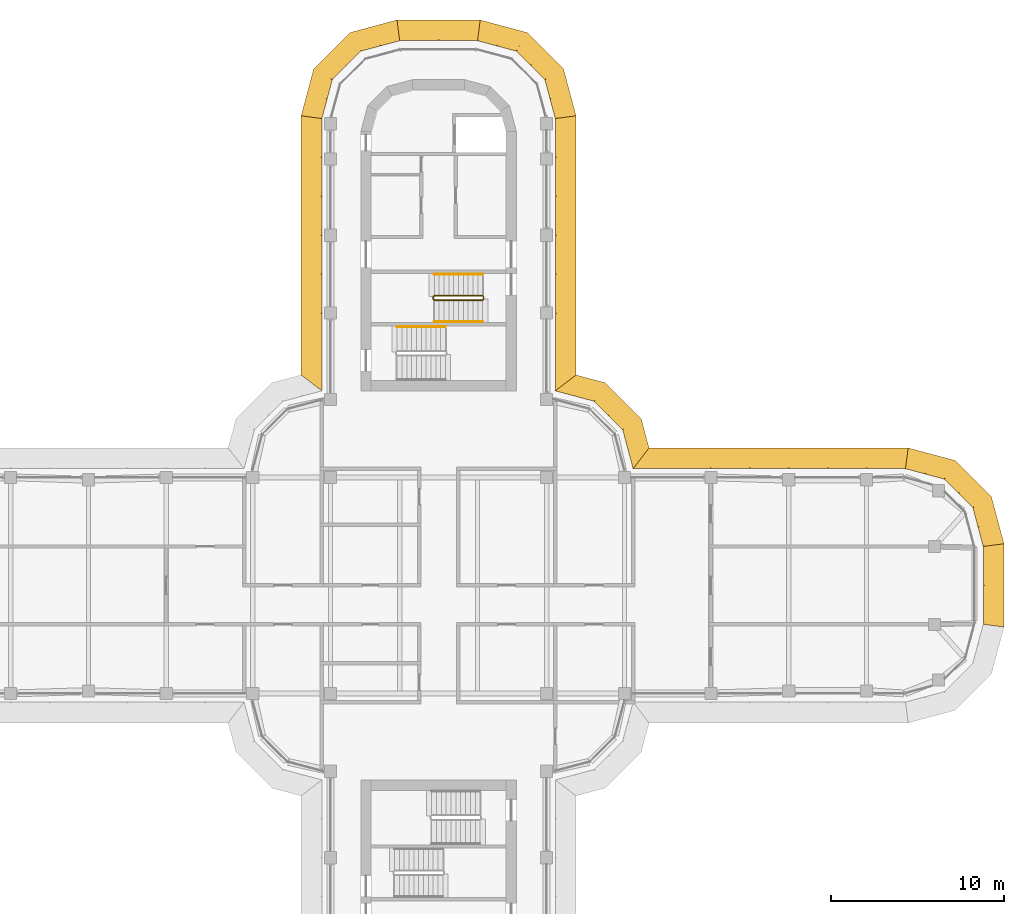
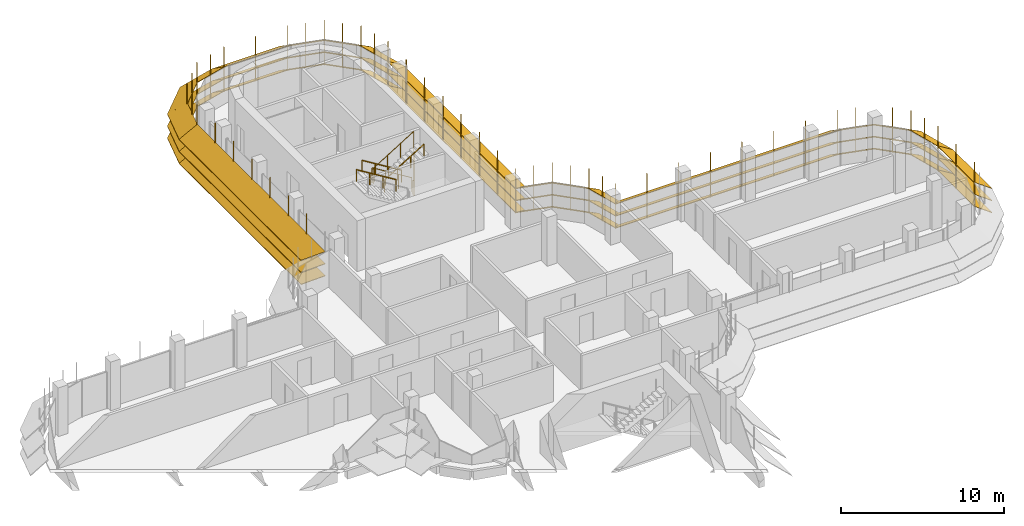
# One storey, part 19 of 19: 9 shading devices, 4 railings.
"""IFC4 building model written with IfcOpenShell, lengths in metres."""

from ifc_helpers import new_model, si_unit, direction, frame, origin, origin_2d, place, context, subcontext, project, spatial, polyline, circle, outline, extrude, faceted_brep, source, transform, mapped, material, type_object, element, save


model = new_model("IFC4")

# Units and contexts
model_context = context("Model", 3, precision=1e-05, world=origin(), true_north=direction((0.0, 1.0)))
body_context = subcontext(model_context, "Body", "Model", "MODEL_VIEW")
ifc_project = project(units=[si_unit("LENGTHUNIT", "METRE"), si_unit("AREAUNIT", "SQUARE_METRE"), si_unit("VOLUMEUNIT", "CUBIC_METRE"), si_unit("PLANEANGLEUNIT", "RADIAN"), si_unit("MASSUNIT", "GRAM", prefix="KILO")], contexts=[model_context])

# Site, building, storey
site_placement = place(None, origin())
site = spatial("IfcSite", under=ifc_project, at=site_placement, CompositionType="ELEMENT")
building_placement = place(site_placement, origin())
building = spatial("IfcBuilding", under=site, at=building_placement, Name="Zarbagh Exchange Tower", CompositionType="ELEMENT")
storey_placement = place(building_placement, frame((0.0, 0.0, 203.0)))
storey = spatial("IfcBuildingStorey", under=building, at=storey_placement, Name="L49", CompositionType="ELEMENT", Elevation=203.0)

# Railings
ifc_material_1 = material(Name="Stainless steel", Category="steel")
railing_type_1 = type_object("IfcRailingType", Name="Stair guard 1100 mm", PredefinedType="GUARDRAIL", material=ifc_material_1)
railing_1_placement = place(storey_placement, frame((2.550048828125, 16.75, 0.172607421875)))
element("IfcRailing", 1, at=railing_1_placement, inside=storey, type_object=railing_type_1, Name="ST1 stair guard 1", PredefinedType="GUARDRAIL", context=body_context, shape_type="SweptSolid", body=[
    extrude(circle(Radius=0.02392578125, at=origin_2d()), frame((0.0, 0.0, 1.076171875), z_axis=(-0.851089632645, 0.0, 0.525020415988), x_axis=(0.0, -1.0, 0.0)), (0.0, 0.0, 1.0), 3.2900390625),
    extrude(circle(Radius=0.02392578125, at=origin_2d()), frame((-2.800048828125, 0.0, 2.80322265625), z_axis=(-0.707106781187, -0.707106781187, 0.0), x_axis=(0.707106781187, -0.707106781187, 0.0)), (0.0, 0.0, 1.0), 0.07080078125),
    extrude(circle(Radius=0.02392578125, at=origin_2d()), frame((-2.85009765625, -0.050048828125, 2.80322265625), z_axis=(0.0, -1.0, 0.0), x_axis=(1.0, 0.0, 0.0)), (0.0, 0.0, 1.0), 0.14990234375),
    extrude(circle(Radius=0.02392578125, at=origin_2d()), frame((-2.85009765625, -0.199951171875, 2.80322265625), z_axis=(0.267953482034, -0.267953482034, 0.925419830635), x_axis=(0.707106781187, 0.707106781187, 0.0)), (0.0, 0.0, 1.0), 0.186767578125),
    extrude(circle(Radius=0.02392578125, at=origin_2d()), frame((-2.800048828125, -0.25, 2.97607421875), z_axis=(0.851089632645, 0.0, 0.525020415988), x_axis=(0.0, 1.0, 0.0)), (0.0, 0.0, 1.0), 3.2900390625),
    extrude(circle(Radius=0.02392578125, at=origin_2d()), frame((0.0, -0.25, 4.70361328125), z_axis=(0.013168290981, 0.013168290981, -0.999826581076), x_axis=(-0.707106781187, 0.707106781187, 0.0)), (0.0, 0.0, 1.0), 3.80078125),
    extrude(circle(Radius=0.02392578125, at=origin_2d()), frame((0.050048828125, -0.199951171875, 0.9033203125), z_axis=(0.0, 1.0, 0.0), x_axis=(-1.0, 0.0, 0.0)), (0.0, 0.0, 1.0), 0.14990234375),
    extrude(circle(Radius=0.02099609375, at=origin_2d()), origin(), (0.0, 0.0, 1.0), 1.052001953125),
    extrude(circle(Radius=0.02099609375, at=origin_2d()), frame((-0.933349609375, 0.0, 0.57568359375)), (0.0, 0.0, 1.0), 1.052001953125),
    extrude(circle(Radius=0.02099609375, at=origin_2d()), frame((-1.86669921875, 0.0, 1.151611328125)), (0.0, 0.0, 1.0), 1.052001953125),
    extrude(circle(Radius=0.02099609375, at=origin_2d()), frame((-2.800048828125, 0.0, 1.727294921875)), (0.0, 0.0, 1.0), 1.052001953125),
    extrude(circle(Radius=0.02099609375, at=origin_2d()), frame((-2.85009765625, -0.050048828125, 1.727294921875)), (0.0, 0.0, 1.0), 1.052001953125),
    extrude(circle(Radius=0.02099609375, at=origin_2d()), frame((-2.85009765625, -0.199951171875, 1.727294921875)), (0.0, 0.0, 1.0), 1.052001953125),
    extrude(circle(Radius=0.02099609375, at=origin_2d()), frame((-2.800048828125, -0.25, 1.900146484375)), (0.0, 0.0, 1.0), 1.052001953125),
    extrude(circle(Radius=0.02099609375, at=origin_2d()), frame((-1.86669921875, -0.25, 2.475830078125)), (0.0, 0.0, 1.0), 1.052001953125),
    extrude(circle(Radius=0.02099609375, at=origin_2d()), frame((-0.933349609375, -0.25, 3.0517578125)), (0.0, 0.0, 1.0), 1.052001953125),
    extrude(circle(Radius=0.02099609375, at=origin_2d()), frame((0.0, -0.25, 3.62744140625)), (0.0, 0.0, 1.0), 1.052001953125),
    extrude(circle(Radius=0.02099609375, at=origin_2d()), frame((0.012451171875, -0.237548828125, 2.677490234375)), (0.0, 0.0, 1.0), 1.052001953125),
    extrude(circle(Radius=0.02099609375, at=origin_2d()), frame((0.02490234375, -0.22509765625, 1.7275390625)), (0.0, 0.0, 1.0), 1.052001953125),
    extrude(circle(Radius=0.02099609375, at=origin_2d()), frame((0.03759765625, -0.21240234375, 0.77734375)), (0.0, 0.0, 1.0), 1.052001953125),
    extrude(circle(Radius=0.02099609375, at=origin_2d()), frame((0.050048828125, -0.199951171875, -0.172607421875)), (0.0, 0.0, 1.0), 1.052001953125),
    extrude(circle(Radius=0.02099609375, at=origin_2d()), frame((0.050048828125, -0.050048828125, -0.172607421875)), (0.0, 0.0, 1.0), 1.052001953125),
])
railing_type_2 = type_object("IfcRailingType", Name="Stair handrail 900 mm", PredefinedType="HANDRAIL", material=ifc_material_1)
railing_2_placement = place(storey_placement, frame((2.550048828125, 18.0, 0.172607421875)))
element("IfcRailing", 2, at=railing_2_placement, inside=storey, type_object=railing_type_2, Name="ST1 stair handrail 1", PredefinedType="HANDRAIL", context=body_context, shape_type="SweptSolid", body=[
    extrude(circle(Radius=0.02392578125, at=origin_2d()), frame((0.0, 0.0, 0.8759765625), z_axis=(-0.851089632645, 0.0, 0.525020415988), x_axis=(0.0, -1.0, 0.0)), (0.0, 0.0, 1.0), 3.2900390625),
    extrude(circle(Radius=0.02099609375, at=origin_2d()), origin(), (0.0, 0.0, 1.0), 0.851806640625),
    extrude(circle(Radius=0.02099609375, at=origin_2d()), frame((-0.933349609375, 0.0, 0.57568359375)), (0.0, 0.0, 1.0), 0.851806640625),
    extrude(circle(Radius=0.02099609375, at=origin_2d()), frame((-1.86669921875, 0.0, 1.151611328125)), (0.0, 0.0, 1.0), 0.851806640625),
    extrude(circle(Radius=0.02099609375, at=origin_2d()), frame((-2.800048828125, 0.0, 1.727294921875)), (0.0, 0.0, 1.0), 0.851806640625),
])
railing_3_placement = place(storey_placement, frame((-0.25, 15.25, 2.07275390625)))
element("IfcRailing", 3, at=railing_3_placement, inside=storey, type_object=railing_type_2, Name="ST1 stair handrail 2", PredefinedType="HANDRAIL", context=body_context, shape_type="SweptSolid", body=[
    extrude(circle(Radius=0.02392578125, at=origin_2d()), frame((0.0, 0.0, 0.8759765625), z_axis=(0.851089632645, 0.0, 0.525020415988), x_axis=(0.0, 1.0, 0.0)), (0.0, 0.0, 1.0), 3.2900390625),
    extrude(circle(Radius=0.02099609375, at=origin_2d()), origin(), (0.0, 0.0, 1.0), 0.851806640625),
    extrude(circle(Radius=0.02099609375, at=origin_2d()), frame((0.933349609375, 0.0, 0.57568359375)), (0.0, 0.0, 1.0), 0.851806640625),
    extrude(circle(Radius=0.02099609375, at=origin_2d()), frame((1.86669921875, 0.0, 1.151611328125)), (0.0, 0.0, 1.0), 0.851806640625),
    extrude(circle(Radius=0.02099609375, at=origin_2d()), frame((2.800048828125, 0.0, 1.727294921875)), (0.0, 0.0, 1.0), 0.851806640625),
])
railing_4_placement = place(storey_placement, frame((0.39990234375, 14.949951171875, 2.07275390625)))
element("IfcRailing", 4, at=railing_4_placement, inside=storey, type_object=railing_type_2, Name="ST2 stair handrail 2", PredefinedType="HANDRAIL", context=body_context, shape_type="SweptSolid", body=[
    extrude(circle(Radius=0.02392578125, at=origin_2d()), frame((0.0, 0.0, 0.8759765625), z_axis=(-0.851069175582, 0.0, 0.525053576669), x_axis=(0.0, -1.0, 0.0)), (0.0, 0.0, 1.0), 3.289794921875),
    extrude(circle(Radius=0.02099609375, at=origin_2d()), origin(), (0.0, 0.0, 1.0), 0.851806640625),
    extrude(circle(Radius=0.02099609375, at=origin_2d()), frame((-0.933349609375, 0.0, 0.57568359375)), (0.0, 0.0, 1.0), 0.851806640625),
    extrude(circle(Radius=0.02099609375, at=origin_2d()), frame((-1.866455078125, 0.0, 1.151611328125)), (0.0, 0.0, 1.0), 0.851806640625),
    extrude(circle(Radius=0.02099609375, at=origin_2d()), frame((-2.7998046875, 0.0, 1.727294921875)), (0.0, 0.0, 1.0), 0.851806640625),
])

# Shading devices
ifc_material_2 = material(Name="Anodised aluminium blades and brackets", Category="aluminium")
shading_device_type = type_object("IfcShadingDeviceType", Name="SUNSHADE louvre band, 33.75 degree blades", PredefinedType="JALOUSIE", material=ifc_material_2)
shared_shape_1 = source(origin(), body_context, "Body", "Brep", [
    faceted_brep([(0.0, 0.0, 0.0), (0.0, 0.0, -0.048095703125), (-0.157958984375, -1.199951171875, -0.849853515625), (-0.157958984375, -1.199951171875, -0.8017578125), (2.65087890625, -1.199951171875, -0.8017578125), (2.65087890625, -1.199951171875, -0.849853515625), (2.329345703125, 0.0, -0.048095703125), (2.329345703125, 0.0, 0.0)], [[[0, 1, 2, 3]], [[4, 5, 6, 7]], [[0, 7, 6, 1]], [[1, 6, 5, 2]], [[2, 5, 4, 3]], [[3, 4, 7, 0]]]),
])
shared_shape_2 = source(origin(), body_context, "Body", "Brep", [
    faceted_brep([(0.0, 0.0, 0.0), (0.0, 0.0, -0.048095703125), (-0.321533203125, -1.199951171875, -0.849853515625), (-0.321533203125, -1.199951171875, -0.8017578125), (2.65087890625, -1.199951171875, -0.8017578125), (2.65087890625, -1.199951171875, -0.849853515625), (2.329345703125, 0.0, -0.048095703125), (2.329345703125, 0.0, 0.0)], [[[0, 1, 2, 3]], [[4, 5, 6, 7]], [[0, 7, 6, 1]], [[1, 6, 5, 2]], [[2, 5, 4, 3]], [[3, 4, 7, 0]]]),
])
shared_shape_3 = source(origin(), body_context, "Body", "Brep", [
    faceted_brep([(0.0, 0.0, 0.0), (0.0, 0.0, -0.048095703125), (-0.321533203125, -1.199951171875, -0.849853515625), (-0.321533203125, -1.199951171875, -0.8017578125), (2.4873046875, -1.199951171875, -0.8017578125), (2.4873046875, -1.199951171875, -0.849853515625), (2.329345703125, 0.0, -0.048095703125), (2.329345703125, 0.0, 0.0)], [[[0, 1, 2, 3]], [[4, 5, 6, 7]], [[0, 7, 6, 1]], [[1, 6, 5, 2]], [[2, 5, 4, 3]], [[3, 4, 7, 0]]]),
])
shared_shape_4 = source(origin(), body_context, "Body", "SweptSolid", [
    extrude(outline(polyline([(0.0, -0.012451171875), (0.06005859375, -0.012451171875), (0.06005859375, 0.012451171875), (0.0, 0.012451171875), (0.0, -0.012451171875)])), origin(), (0.0, 0.0, 1.0), 3.358154296875),
])
placement = place(storey_placement, origin())
element("IfcShadingDevice", 5, at=placement, inside=storey, type_object=shading_device_type, Name="SS33 sunshade band", PredefinedType="JALOUSIE", context=body_context, shape_type="MappedRepresentation", body=[
    mapped(shared_shape_1, transform((31.5, 2.25, 2.300048828125), x_axis=(-0.258824779902, 0.965924289636, 0.0), y_axis=(-0.965924289636, -0.258824779902, 0.0), z_axis=(0.0, 0.0, 1.0))),
    mapped(shared_shape_1, transform((31.5, 2.25, 1.39990234375), x_axis=(-0.258824779902, 0.965924289636, 0.0), y_axis=(-0.965924289636, -0.258824779902, 0.0), z_axis=(0.0, 0.0, 1.0))),
    mapped(shared_shape_1, transform((31.5, 2.25, 0.5), x_axis=(-0.258824779902, 0.965924289636, 0.0), y_axis=(-0.965924289636, -0.258824779902, 0.0), z_axis=(0.0, 0.0, 1.0))),
    mapped(shared_shape_2, transform((30.897216796875, 4.5, 2.300048828125), x_axis=(-0.707106781187, 0.707106781187, 0.0), y_axis=(-0.707106781187, -0.707106781187, 0.0), z_axis=(0.0, 0.0, 1.0))),
    mapped(shared_shape_2, transform((30.897216796875, 4.5, 1.39990234375), x_axis=(-0.707106781187, 0.707106781187, 0.0), y_axis=(-0.707106781187, -0.707106781187, 0.0), z_axis=(0.0, 0.0, 1.0))),
    mapped(shared_shape_2, transform((30.897216796875, 4.5, 0.5), x_axis=(-0.707106781187, 0.707106781187, 0.0), y_axis=(-0.707106781187, -0.707106781187, 0.0), z_axis=(0.0, 0.0, 1.0))),
    mapped(shared_shape_3, transform((29.25, 6.147216796875, 2.300048828125), x_axis=(-0.965924289636, 0.258824779902, 0.0), y_axis=(-0.258824779902, -0.965924289636, 0.0), z_axis=(0.0, 0.0, 1.0))),
    mapped(shared_shape_3, transform((29.25, 6.147216796875, 1.39990234375), x_axis=(-0.965924289636, 0.258824779902, 0.0), y_axis=(-0.258824779902, -0.965924289636, 0.0), z_axis=(0.0, 0.0, 1.0))),
    mapped(shared_shape_3, transform((29.25, 6.147216796875, 0.5), x_axis=(-0.965924289636, 0.258824779902, 0.0), y_axis=(-0.258824779902, -0.965924289636, 0.0), z_axis=(0.0, 0.0, 1.0))),
    mapped(shared_shape_4, transform((31.5, 2.25, 0.421875), x_axis=(0.991444457092, 0.130529263012, 0.0), y_axis=(-0.130529263012, 0.991444457092, 0.0), z_axis=(0.0, 0.0, 1.0))),
    mapped(shared_shape_4, transform((31.198486328125, 3.375, 0.421875), x_axis=(0.96592421511, 0.258825058029, 0.0), y_axis=(-0.258825058029, 0.96592421511, 0.0), z_axis=(0.0, 0.0, 1.0))),
    mapped(shared_shape_4, transform((30.897216796875, 4.5, 0.421875), x_axis=(0.866023812018, 0.50000275701, 0.0), y_axis=(-0.50000275701, 0.866023812018, 0.0), z_axis=(0.0, 0.0, 1.0))),
    mapped(shared_shape_4, transform((30.073486328125, 5.323486328125, 0.421875), x_axis=(0.707106781187, 0.707106781187, 0.0), y_axis=(-0.707106781187, 0.707106781187, 0.0), z_axis=(0.0, 0.0, 1.0))),
    mapped(shared_shape_4, transform((29.25, 6.147216796875, 0.421875), x_axis=(0.50000275701, 0.866023812018, 0.0), y_axis=(-0.866023812018, 0.50000275701, 0.0), z_axis=(0.0, 0.0, 1.0))),
    mapped(shared_shape_4, transform((28.125, 6.448486328125, 0.421875), x_axis=(0.258825058029, 0.96592421511, 0.0), y_axis=(-0.96592421511, 0.258825058029, 0.0), z_axis=(0.0, 0.0, 1.0))),
])
element("IfcShadingDevice", 6, at=placement, inside=storey, type_object=shading_device_type, Name="SS26 sunshade band", PredefinedType="JALOUSIE", context=body_context, shape_type="MappedRepresentation", body=[
    mapped(shared_shape_1, transform((6.75, 27.0, 2.300048828125), x_axis=(-0.258824779902, 0.965924289636, 0.0), y_axis=(-0.965924289636, -0.258824779902, 0.0), z_axis=(0.0, 0.0, 1.0))),
    mapped(shared_shape_1, transform((6.75, 27.0, 1.39990234375), x_axis=(-0.258824779902, 0.965924289636, 0.0), y_axis=(-0.965924289636, -0.258824779902, 0.0), z_axis=(0.0, 0.0, 1.0))),
    mapped(shared_shape_1, transform((6.75, 27.0, 0.5), x_axis=(-0.258824779902, 0.965924289636, 0.0), y_axis=(-0.965924289636, -0.258824779902, 0.0), z_axis=(0.0, 0.0, 1.0))),
    mapped(shared_shape_2, transform((6.147216796875, 29.25, 2.300048828125), x_axis=(-0.707106781187, 0.707106781187, 0.0), y_axis=(-0.707106781187, -0.707106781187, 0.0), z_axis=(0.0, 0.0, 1.0))),
    mapped(shared_shape_2, transform((6.147216796875, 29.25, 1.39990234375), x_axis=(-0.707106781187, 0.707106781187, 0.0), y_axis=(-0.707106781187, -0.707106781187, 0.0), z_axis=(0.0, 0.0, 1.0))),
    mapped(shared_shape_2, transform((6.147216796875, 29.25, 0.5), x_axis=(-0.707106781187, 0.707106781187, 0.0), y_axis=(-0.707106781187, -0.707106781187, 0.0), z_axis=(0.0, 0.0, 1.0))),
    mapped(shared_shape_3, transform((4.5, 30.897216796875, 2.300048828125), x_axis=(-0.965924289636, 0.258824779902, 0.0), y_axis=(-0.258824779902, -0.965924289636, 0.0), z_axis=(0.0, 0.0, 1.0))),
    mapped(shared_shape_3, transform((4.5, 30.897216796875, 1.39990234375), x_axis=(-0.965924289636, 0.258824779902, 0.0), y_axis=(-0.258824779902, -0.965924289636, 0.0), z_axis=(0.0, 0.0, 1.0))),
    mapped(shared_shape_3, transform((4.5, 30.897216796875, 0.5), x_axis=(-0.965924289636, 0.258824779902, 0.0), y_axis=(-0.258824779902, -0.965924289636, 0.0), z_axis=(0.0, 0.0, 1.0))),
    mapped(shared_shape_4, transform((6.75, 27.0, 0.421875), x_axis=(0.991444457092, 0.130529263012, 0.0), y_axis=(-0.130529263012, 0.991444457092, 0.0), z_axis=(0.0, 0.0, 1.0))),
    mapped(shared_shape_4, transform((6.448486328125, 28.125, 0.421875), x_axis=(0.96592421511, 0.258825058029, 0.0), y_axis=(-0.258825058029, 0.96592421511, 0.0), z_axis=(0.0, 0.0, 1.0))),
    mapped(shared_shape_4, transform((6.147216796875, 29.25, 0.421875), x_axis=(0.866023812018, 0.50000275701, 0.0), y_axis=(-0.50000275701, 0.866023812018, 0.0), z_axis=(0.0, 0.0, 1.0))),
    mapped(shared_shape_4, transform((5.323486328125, 30.073486328125, 0.421875), x_axis=(0.707106781187, 0.707106781187, 0.0), y_axis=(-0.707106781187, 0.707106781187, 0.0), z_axis=(0.0, 0.0, 1.0))),
    mapped(shared_shape_4, transform((4.5, 30.897216796875, 0.421875), x_axis=(0.50000275701, 0.866023812018, 0.0), y_axis=(-0.866023812018, 0.50000275701, 0.0), z_axis=(0.0, 0.0, 1.0))),
    mapped(shared_shape_4, transform((3.375, 31.198486328125, 0.421875), x_axis=(0.258825058029, 0.96592421511, 0.0), y_axis=(-0.96592421511, 0.258825058029, 0.0), z_axis=(0.0, 0.0, 1.0))),
])
element("IfcShadingDevice", 7, at=placement, inside=storey, type_object=shading_device_type, Name="SS28 sunshade band", PredefinedType="JALOUSIE", context=body_context, shape_type="MappedRepresentation", body=[
    mapped(shared_shape_1, transform((-2.25, 31.5, 2.300048828125), x_axis=(-0.965924289636, -0.258824779902, 0.0), y_axis=(0.258824779902, -0.965924289636, 0.0), z_axis=(0.0, 0.0, 1.0))),
    mapped(shared_shape_1, transform((-2.25, 31.5, 1.39990234375), x_axis=(-0.965924289636, -0.258824779902, 0.0), y_axis=(0.258824779902, -0.965924289636, 0.0), z_axis=(0.0, 0.0, 1.0))),
    mapped(shared_shape_1, transform((-2.25, 31.5, 0.5), x_axis=(-0.965924289636, -0.258824779902, 0.0), y_axis=(0.258824779902, -0.965924289636, 0.0), z_axis=(0.0, 0.0, 1.0))),
    mapped(shared_shape_2, transform((-4.5, 30.897216796875, 2.300048828125), x_axis=(-0.707106781187, -0.707106781187, 0.0), y_axis=(0.707106781187, -0.707106781187, 0.0), z_axis=(0.0, 0.0, 1.0))),
    mapped(shared_shape_2, transform((-4.5, 30.897216796875, 1.39990234375), x_axis=(-0.707106781187, -0.707106781187, 0.0), y_axis=(0.707106781187, -0.707106781187, 0.0), z_axis=(0.0, 0.0, 1.0))),
    mapped(shared_shape_2, transform((-4.5, 30.897216796875, 0.5), x_axis=(-0.707106781187, -0.707106781187, 0.0), y_axis=(0.707106781187, -0.707106781187, 0.0), z_axis=(0.0, 0.0, 1.0))),
    mapped(shared_shape_3, transform((-6.147216796875, 29.25, 2.300048828125), x_axis=(-0.258824779902, -0.965924289636, 0.0), y_axis=(0.965924289636, -0.258824779902, 0.0), z_axis=(0.0, 0.0, 1.0))),
    mapped(shared_shape_3, transform((-6.147216796875, 29.25, 1.39990234375), x_axis=(-0.258824779902, -0.965924289636, 0.0), y_axis=(0.965924289636, -0.258824779902, 0.0), z_axis=(0.0, 0.0, 1.0))),
    mapped(shared_shape_3, transform((-6.147216796875, 29.25, 0.5), x_axis=(-0.258824779902, -0.965924289636, 0.0), y_axis=(0.965924289636, -0.258824779902, 0.0), z_axis=(0.0, 0.0, 1.0))),
    mapped(shared_shape_4, transform((-2.25, 31.5, 0.421875), x_axis=(-0.130529263012, 0.991444457092, 0.0), y_axis=(-0.991444457092, -0.130529263012, 0.0), z_axis=(0.0, 0.0, 1.0))),
    mapped(shared_shape_4, transform((-3.375, 31.198486328125, 0.421875), x_axis=(-0.258825058029, 0.96592421511, 0.0), y_axis=(-0.96592421511, -0.258825058029, 0.0), z_axis=(0.0, 0.0, 1.0))),
    mapped(shared_shape_4, transform((-4.5, 30.897216796875, 0.421875), x_axis=(-0.50000275701, 0.866023812018, 0.0), y_axis=(-0.866023812018, -0.50000275701, 0.0), z_axis=(0.0, 0.0, 1.0))),
    mapped(shared_shape_4, transform((-5.323486328125, 30.073486328125, 0.421875), x_axis=(-0.707106781187, 0.707106781187, 0.0), y_axis=(-0.707106781187, -0.707106781187, 0.0), z_axis=(0.0, 0.0, 1.0))),
    mapped(shared_shape_4, transform((-6.147216796875, 29.25, 0.421875), x_axis=(-0.866023812018, 0.50000275701, 0.0), y_axis=(-0.50000275701, -0.866023812018, 0.0), z_axis=(0.0, 0.0, 1.0))),
    mapped(shared_shape_4, transform((-6.448486328125, 28.125, 0.421875), x_axis=(-0.96592421511, 0.258825058029, 0.0), y_axis=(-0.258825058029, -0.96592421511, 0.0), z_axis=(0.0, 0.0, 1.0))),
])
shared_shape_5 = source(origin(), body_context, "Body", "Brep", [
    faceted_brep([(0.0, 0.0, 0.0), (0.0, 0.0, -0.048095703125), (0.9208984375, -1.199951171875, -0.849853515625), (0.9208984375, -1.199951171875, -0.8017578125), (2.65087890625, -1.199951171875, -0.8017578125), (2.65087890625, -1.199951171875, -0.849853515625), (2.329345703125, 0.0, -0.048095703125), (2.329345703125, 0.0, 0.0)], [[[0, 1, 2, 3]], [[4, 5, 6, 7]], [[0, 7, 6, 1]], [[1, 6, 5, 2]], [[2, 5, 4, 3]], [[3, 4, 7, 0]]]),
])
shared_shape_6 = source(origin(), body_context, "Body", "Brep", [
    faceted_brep([(0.0, 0.0, 0.0), (0.0, 0.0, -0.048095703125), (-0.321533203125, -1.199951171875, -0.849853515625), (-0.321533203125, -1.199951171875, -0.8017578125), (1.40869140625, -1.199951171875, -0.8017578125), (1.40869140625, -1.199951171875, -0.849853515625), (2.329345703125, 0.0, -0.048095703125), (2.329345703125, 0.0, 0.0)], [[[0, 1, 2, 3]], [[4, 5, 6, 7]], [[0, 7, 6, 1]], [[1, 6, 5, 2]], [[2, 5, 4, 3]], [[3, 4, 7, 0]]]),
])
element("IfcShadingDevice", 8, at=placement, inside=storey, type_object=shading_device_type, Name="SS09 sunshade band", PredefinedType="JALOUSIE", context=body_context, shape_type="MappedRepresentation", body=[
    mapped(shared_shape_5, transform((11.25, 6.75, 2.300048828125), x_axis=(-0.258824779902, 0.965924289636, 0.0), y_axis=(-0.965924289636, -0.258824779902, 0.0), z_axis=(0.0, 0.0, 1.0))),
    mapped(shared_shape_5, transform((11.25, 6.75, 1.39990234375), x_axis=(-0.258824779902, 0.965924289636, 0.0), y_axis=(-0.965924289636, -0.258824779902, 0.0), z_axis=(0.0, 0.0, 1.0))),
    mapped(shared_shape_5, transform((11.25, 6.75, 0.5), x_axis=(-0.258824779902, 0.965924289636, 0.0), y_axis=(-0.965924289636, -0.258824779902, 0.0), z_axis=(0.0, 0.0, 1.0))),
    mapped(shared_shape_2, transform((10.647216796875, 9.0, 2.300048828125), x_axis=(-0.707106781187, 0.707106781187, 0.0), y_axis=(-0.707106781187, -0.707106781187, 0.0), z_axis=(0.0, 0.0, 1.0))),
    mapped(shared_shape_2, transform((10.647216796875, 9.0, 1.39990234375), x_axis=(-0.707106781187, 0.707106781187, 0.0), y_axis=(-0.707106781187, -0.707106781187, 0.0), z_axis=(0.0, 0.0, 1.0))),
    mapped(shared_shape_2, transform((10.647216796875, 9.0, 0.5), x_axis=(-0.707106781187, 0.707106781187, 0.0), y_axis=(-0.707106781187, -0.707106781187, 0.0), z_axis=(0.0, 0.0, 1.0))),
    mapped(shared_shape_6, transform((9.0, 10.647216796875, 2.300048828125), x_axis=(-0.965924289636, 0.258824779902, 0.0), y_axis=(-0.258824779902, -0.965924289636, 0.0), z_axis=(0.0, 0.0, 1.0))),
    mapped(shared_shape_6, transform((9.0, 10.647216796875, 1.39990234375), x_axis=(-0.965924289636, 0.258824779902, 0.0), y_axis=(-0.258824779902, -0.965924289636, 0.0), z_axis=(0.0, 0.0, 1.0))),
    mapped(shared_shape_6, transform((9.0, 10.647216796875, 0.5), x_axis=(-0.965924289636, 0.258824779902, 0.0), y_axis=(-0.258824779902, -0.965924289636, 0.0), z_axis=(0.0, 0.0, 1.0))),
    mapped(shared_shape_4, transform((11.25, 6.75, 0.421875), x_axis=(0.608758892, 0.793355287, 0.0), y_axis=(-0.793355287, 0.608758892, 0.0), z_axis=(0.0, 0.0, 1.0))),
    mapped(shared_shape_4, transform((10.948486328125, 7.875, 0.421875), x_axis=(0.96592421511, 0.258825058029, 0.0), y_axis=(-0.258825058029, 0.96592421511, 0.0), z_axis=(0.0, 0.0, 1.0))),
    mapped(shared_shape_4, transform((10.647216796875, 9.0, 0.421875), x_axis=(0.866023812018, 0.50000275701, 0.0), y_axis=(-0.50000275701, 0.866023812018, 0.0), z_axis=(0.0, 0.0, 1.0))),
    mapped(shared_shape_4, transform((9.823486328125, 9.823486328125, 0.421875), x_axis=(0.707106781187, 0.707106781187, 0.0), y_axis=(-0.707106781187, 0.707106781187, 0.0), z_axis=(0.0, 0.0, 1.0))),
    mapped(shared_shape_4, transform((9.0, 10.647216796875, 0.421875), x_axis=(0.50000275701, 0.866023812018, 0.0), y_axis=(-0.866023812018, 0.50000275701, 0.0), z_axis=(0.0, 0.0, 1.0))),
    mapped(shared_shape_4, transform((7.875, 10.948486328125, 0.421875), x_axis=(0.258825058029, 0.96592421511, 0.0), y_axis=(-0.96592421511, 0.258825058029, 0.0), z_axis=(0.0, 0.0, 1.0))),
])
shared_shape_7 = source(origin(), body_context, "Body", "Brep", [
    faceted_brep([(0.0, 0.0, 0.0), (0.0, 0.0, -0.048095703125), (-0.157958984375, -1.199951171875, -0.849853515625), (-0.157958984375, -1.199951171875, -0.8017578125), (4.657958984375, -1.199951171875, -0.8017578125), (4.657958984375, -1.199951171875, -0.849853515625), (4.5, 0.0, -0.048095703125), (4.5, 0.0, 0.0)], [[[0, 1, 2, 3]], [[4, 5, 6, 7]], [[0, 7, 6, 1]], [[1, 6, 5, 2]], [[2, 5, 4, 3]], [[3, 4, 7, 0]]]),
])
element("IfcShadingDevice", 9, at=placement, inside=storey, type_object=shading_device_type, Name="SS32 sunshade band", PredefinedType="JALOUSIE", context=body_context, shape_type="MappedRepresentation", body=[
    mapped(shared_shape_7, transform((31.5, -2.25, 2.300048828125), x_axis=(0.0, 1.0, 0.0), y_axis=(-1.0, 0.0, 0.0), z_axis=(0.0, 0.0, 1.0))),
    mapped(shared_shape_7, transform((31.5, -2.25, 1.39990234375), x_axis=(0.0, 1.0, 0.0), y_axis=(-1.0, 0.0, 0.0), z_axis=(0.0, 0.0, 1.0))),
    mapped(shared_shape_7, transform((31.5, -2.25, 0.5), x_axis=(0.0, 1.0, 0.0), y_axis=(-1.0, 0.0, 0.0), z_axis=(0.0, 0.0, 1.0))),
    mapped(shared_shape_4, transform((31.5, -2.25, 0.421875), x_axis=(0.991444457092, -0.130529263012, 0.0), y_axis=(0.130529263012, 0.991444457092, 0.0), z_axis=(0.0, 0.0, 1.0))),
    mapped(shared_shape_4, transform((31.5, 0.0, 0.421875), x_axis=(1.0, 0.0, 0.0), y_axis=(0.0, 1.0, 0.0), z_axis=(0.0, 0.0, 1.0))),
])
shared_shape_8 = source(origin(), body_context, "Body", "Brep", [
    faceted_brep([(0.0, 0.0, 0.0), (0.0, 0.0, -0.048095703125), (-0.157958984375, -1.199951171875, -0.849853515625), (-0.157958984375, -1.199951171875, -0.8017578125), (14.8291015625, -1.199951171875, -0.8017578125), (14.8291015625, -1.199951171875, -0.849853515625), (15.75, 0.0, -0.048095703125), (15.75, 0.0, 0.0)], [[[0, 1, 2, 3]], [[4, 5, 6, 7]], [[0, 7, 6, 1]], [[1, 6, 5, 2]], [[2, 5, 4, 3]], [[3, 4, 7, 0]]]),
])
element("IfcShadingDevice", 10, at=placement, inside=storey, type_object=shading_device_type, Name="SS34 sunshade band", PredefinedType="JALOUSIE", context=body_context, shape_type="MappedRepresentation", body=[
    mapped(shared_shape_8, transform((27.0, 6.75, 2.300048828125), x_axis=(-1.0, 0.0, 0.0), y_axis=(0.0, -1.0, 0.0), z_axis=(0.0, 0.0, 1.0))),
    mapped(shared_shape_8, transform((27.0, 6.75, 1.39990234375), x_axis=(-1.0, 0.0, 0.0), y_axis=(0.0, -1.0, 0.0), z_axis=(0.0, 0.0, 1.0))),
    mapped(shared_shape_8, transform((27.0, 6.75, 0.5), x_axis=(-1.0, 0.0, 0.0), y_axis=(0.0, -1.0, 0.0), z_axis=(0.0, 0.0, 1.0))),
    mapped(shared_shape_4, transform((27.0, 6.75, 0.421875), x_axis=(0.130529263012, 0.991444457092, 0.0), y_axis=(-0.991444457092, 0.130529263012, 0.0), z_axis=(0.0, 0.0, 1.0))),
    mapped(shared_shape_4, transform((24.75, 6.75, 0.421875), x_axis=(0.0, 1.0, 0.0), y_axis=(-1.0, 0.0, 0.0), z_axis=(0.0, 0.0, 1.0))),
    mapped(shared_shape_4, transform((22.5, 6.75, 0.421875), x_axis=(0.0, 1.0, 0.0), y_axis=(-1.0, 0.0, 0.0), z_axis=(0.0, 0.0, 1.0))),
    mapped(shared_shape_4, transform((20.25, 6.75, 0.421875), x_axis=(0.0, 1.0, 0.0), y_axis=(-1.0, 0.0, 0.0), z_axis=(0.0, 0.0, 1.0))),
    mapped(shared_shape_4, transform((18.0, 6.75, 0.421875), x_axis=(0.0, 1.0, 0.0), y_axis=(-1.0, 0.0, 0.0), z_axis=(0.0, 0.0, 1.0))),
    mapped(shared_shape_4, transform((15.75, 6.75, 0.421875), x_axis=(0.0, 1.0, 0.0), y_axis=(-1.0, 0.0, 0.0), z_axis=(0.0, 0.0, 1.0))),
    mapped(shared_shape_4, transform((13.5, 6.75, 0.421875), x_axis=(0.0, 1.0, 0.0), y_axis=(-1.0, 0.0, 0.0), z_axis=(0.0, 0.0, 1.0))),
])
shared_shape_9 = source(origin(), body_context, "Body", "Brep", [
    faceted_brep([(0.0, 0.0, 0.0), (0.0, 0.0, -0.048095703125), (0.9208984375, -1.199951171875, -0.849853515625), (0.9208984375, -1.199951171875, -0.8017578125), (15.907958984375, -1.199951171875, -0.8017578125), (15.907958984375, -1.199951171875, -0.849853515625), (15.75, 0.0, -0.048095703125), (15.75, 0.0, 0.0)], [[[0, 1, 2, 3]], [[4, 5, 6, 7]], [[0, 7, 6, 1]], [[1, 6, 5, 2]], [[2, 5, 4, 3]], [[3, 4, 7, 0]]]),
])
element("IfcShadingDevice", 11, at=placement, inside=storey, type_object=shading_device_type, Name="SS25 sunshade band", PredefinedType="JALOUSIE", context=body_context, shape_type="MappedRepresentation", body=[
    mapped(shared_shape_9, transform((6.75, 11.25, 2.300048828125), x_axis=(0.0, 1.0, 0.0), y_axis=(-1.0, 0.0, 0.0), z_axis=(0.0, 0.0, 1.0))),
    mapped(shared_shape_9, transform((6.75, 11.25, 1.39990234375), x_axis=(0.0, 1.0, 0.0), y_axis=(-1.0, 0.0, 0.0), z_axis=(0.0, 0.0, 1.0))),
    mapped(shared_shape_9, transform((6.75, 11.25, 0.5), x_axis=(0.0, 1.0, 0.0), y_axis=(-1.0, 0.0, 0.0), z_axis=(0.0, 0.0, 1.0))),
    mapped(shared_shape_4, transform((6.75, 11.25, 0.421875), x_axis=(0.793355287, 0.608758892, 0.0), y_axis=(-0.608758892, 0.793355287, 0.0), z_axis=(0.0, 0.0, 1.0))),
    mapped(shared_shape_4, transform((6.75, 13.5, 0.421875), x_axis=(1.0, 0.0, 0.0), y_axis=(0.0, 1.0, 0.0), z_axis=(0.0, 0.0, 1.0))),
    mapped(shared_shape_4, transform((6.75, 15.75, 0.421875), x_axis=(1.0, 0.0, 0.0), y_axis=(0.0, 1.0, 0.0), z_axis=(0.0, 0.0, 1.0))),
    mapped(shared_shape_4, transform((6.75, 18.0, 0.421875), x_axis=(1.0, 0.0, 0.0), y_axis=(0.0, 1.0, 0.0), z_axis=(0.0, 0.0, 1.0))),
    mapped(shared_shape_4, transform((6.75, 20.25, 0.421875), x_axis=(1.0, 0.0, 0.0), y_axis=(0.0, 1.0, 0.0), z_axis=(0.0, 0.0, 1.0))),
    mapped(shared_shape_4, transform((6.75, 22.5, 0.421875), x_axis=(1.0, 0.0, 0.0), y_axis=(0.0, 1.0, 0.0), z_axis=(0.0, 0.0, 1.0))),
    mapped(shared_shape_4, transform((6.75, 24.75, 0.421875), x_axis=(1.0, 0.0, 0.0), y_axis=(0.0, 1.0, 0.0), z_axis=(0.0, 0.0, 1.0))),
])
element("IfcShadingDevice", 12, at=placement, inside=storey, type_object=shading_device_type, Name="SS27 sunshade band", PredefinedType="JALOUSIE", context=body_context, shape_type="MappedRepresentation", body=[
    mapped(shared_shape_7, transform((2.25, 31.5, 2.300048828125), x_axis=(-1.0, 0.0, 0.0), y_axis=(0.0, -1.0, 0.0), z_axis=(0.0, 0.0, 1.0))),
    mapped(shared_shape_7, transform((2.25, 31.5, 1.39990234375), x_axis=(-1.0, 0.0, 0.0), y_axis=(0.0, -1.0, 0.0), z_axis=(0.0, 0.0, 1.0))),
    mapped(shared_shape_7, transform((2.25, 31.5, 0.5), x_axis=(-1.0, 0.0, 0.0), y_axis=(0.0, -1.0, 0.0), z_axis=(0.0, 0.0, 1.0))),
    mapped(shared_shape_4, transform((2.25, 31.5, 0.421875), x_axis=(0.130529263012, 0.991444457092, 0.0), y_axis=(-0.991444457092, 0.130529263012, 0.0), z_axis=(0.0, 0.0, 1.0))),
    mapped(shared_shape_4, transform((0.0, 31.5, 0.421875), x_axis=(0.0, 1.0, 0.0), y_axis=(-1.0, 0.0, 0.0), z_axis=(0.0, 0.0, 1.0))),
])
element("IfcShadingDevice", 13, at=placement, inside=storey, type_object=shading_device_type, Name="SS29 sunshade band", PredefinedType="JALOUSIE", context=body_context, shape_type="MappedRepresentation", body=[
    mapped(shared_shape_8, transform((-6.75, 27.0, 2.300048828125), x_axis=(0.0, -1.0, 0.0), y_axis=(1.0, 0.0, 0.0), z_axis=(0.0, 0.0, 1.0))),
    mapped(shared_shape_8, transform((-6.75, 27.0, 1.39990234375), x_axis=(0.0, -1.0, 0.0), y_axis=(1.0, 0.0, 0.0), z_axis=(0.0, 0.0, 1.0))),
    mapped(shared_shape_8, transform((-6.75, 27.0, 0.5), x_axis=(0.0, -1.0, 0.0), y_axis=(1.0, 0.0, 0.0), z_axis=(0.0, 0.0, 1.0))),
    mapped(shared_shape_4, transform((-6.75, 27.0, 0.421875), x_axis=(-0.991444457092, 0.130529263012, 0.0), y_axis=(-0.130529263012, -0.991444457092, 0.0), z_axis=(0.0, 0.0, 1.0))),
    mapped(shared_shape_4, transform((-6.75, 24.75, 0.421875), x_axis=(-1.0, 0.0, 0.0), y_axis=(0.0, -1.0, 0.0), z_axis=(0.0, 0.0, 1.0))),
    mapped(shared_shape_4, transform((-6.75, 22.5, 0.421875), x_axis=(-1.0, 0.0, 0.0), y_axis=(0.0, -1.0, 0.0), z_axis=(0.0, 0.0, 1.0))),
    mapped(shared_shape_4, transform((-6.75, 20.25, 0.421875), x_axis=(-1.0, 0.0, 0.0), y_axis=(0.0, -1.0, 0.0), z_axis=(0.0, 0.0, 1.0))),
    mapped(shared_shape_4, transform((-6.75, 18.0, 0.421875), x_axis=(-1.0, 0.0, 0.0), y_axis=(0.0, -1.0, 0.0), z_axis=(0.0, 0.0, 1.0))),
    mapped(shared_shape_4, transform((-6.75, 15.75, 0.421875), x_axis=(-1.0, 0.0, 0.0), y_axis=(0.0, -1.0, 0.0), z_axis=(0.0, 0.0, 1.0))),
    mapped(shared_shape_4, transform((-6.75, 13.5, 0.421875), x_axis=(-1.0, 0.0, 0.0), y_axis=(0.0, -1.0, 0.0), z_axis=(0.0, 0.0, 1.0))),
])

save(model, "model.ifc")
